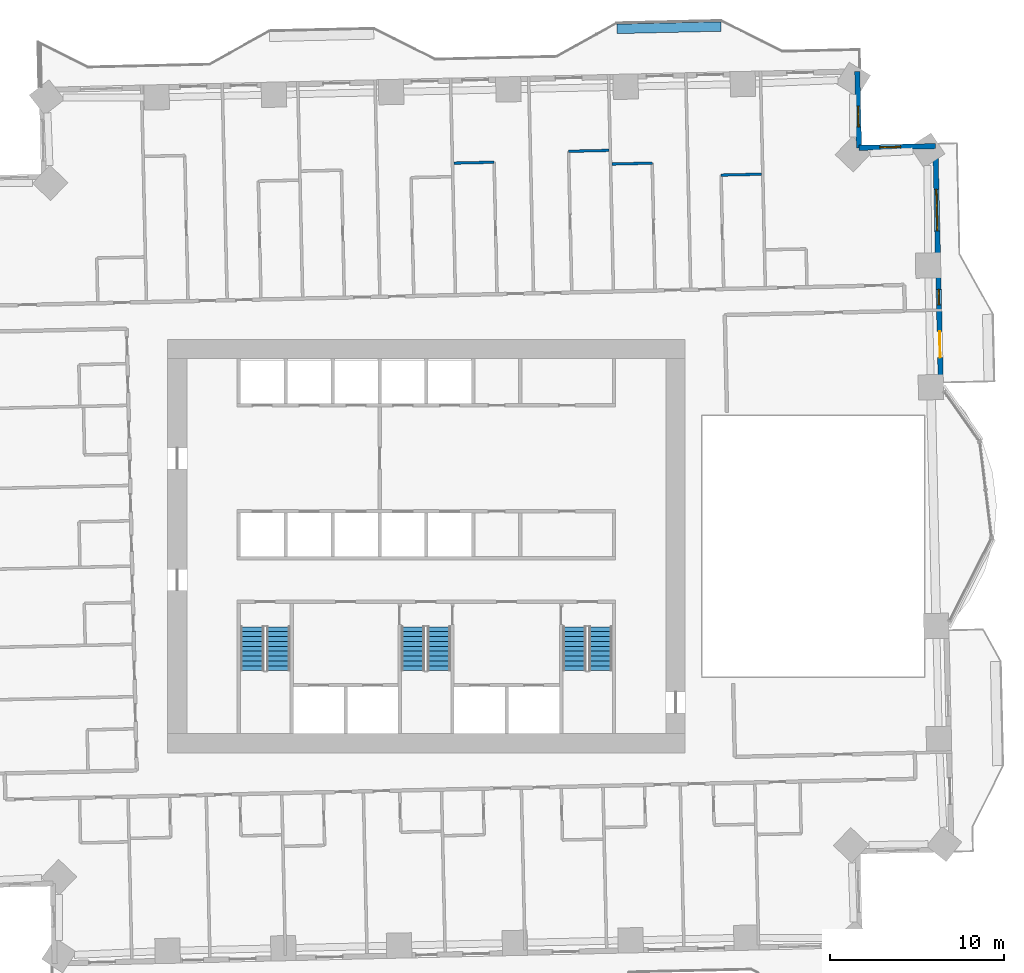
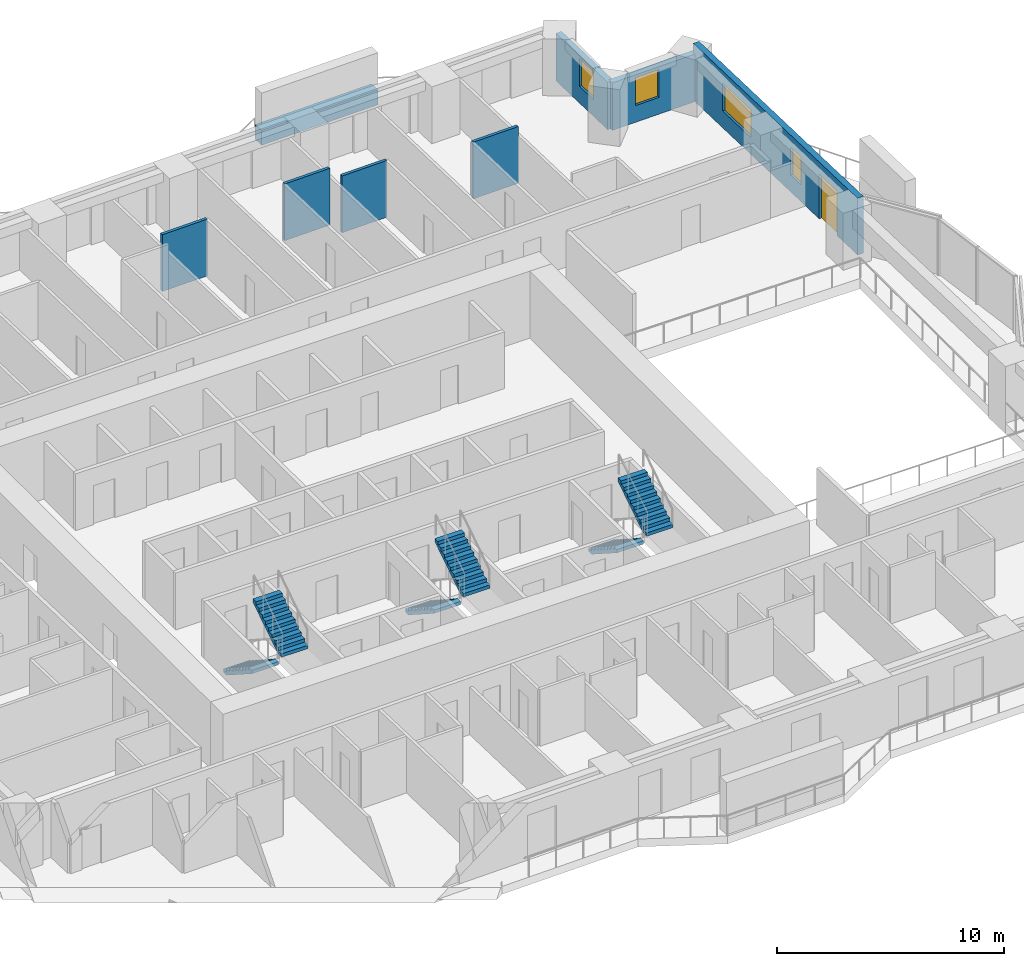
# One storey, part 13 of 17: 8 walls, 6 stair flights, 4 windows, 1 door, 5 openings, 3 elements without a shape of their own.
"""IFC4 building model written with IfcOpenShell, lengths in metres."""

from ifc_helpers import new_model, si_unit, direction, frame, frame_2d, origin, place, context, subcontext, project, spatial, polyline, rectangle, outline, extrude, material, layer, layer_set, type_object, element, fill, aggregate, save


model = new_model("IFC4")

# Units and contexts
model_context = context("Model", 3, precision=1e-05, world=origin(), true_north=direction((0.0, 1.0)))
body_context = subcontext(model_context, "Body", "Model", "MODEL_VIEW")
ifc_project = project(units=[si_unit("LENGTHUNIT", "METRE"), si_unit("AREAUNIT", "SQUARE_METRE"), si_unit("VOLUMEUNIT", "CUBIC_METRE"), si_unit("PLANEANGLEUNIT", "RADIAN"), si_unit("MASSUNIT", "GRAM", prefix="KILO")], contexts=[model_context])

# Site, building, storey
site_placement = place(None, origin())
site = spatial("IfcSite", under=ifc_project, at=site_placement, CompositionType="ELEMENT")
building_placement = place(site_placement, origin())
building = spatial("IfcBuilding", under=site, at=building_placement, Name="Mangrove Gate Tower", CompositionType="ELEMENT")
storey_placement = place(building_placement, frame((0.0, 0.0, 79.300048828125)))
storey = spatial("IfcBuildingStorey", under=building, at=storey_placement, Name="L19", CompositionType="ELEMENT", Elevation=79.300048828125)

# Wall, openings, door, windows
ifc_material_1 = material(Name="Limestone", Category="masonry")
ifc_layer_1 = layer(ifc_material_1, 0.0400390625, Name="Limestone cladding")
ifc_material_2 = material(Name="Ventilated air gap")
ifc_layer_2 = layer(ifc_material_2, 0.0400390625, Name="Ventilated cavity")
ifc_material_3 = material(Name="Mineral wool insulation")
ifc_layer_3 = layer(ifc_material_3, 0.06005859375, Name="Insulation")
ifc_material_4 = material(Name="Breather membrane")
ifc_layer_4 = layer(ifc_material_4, 0.001953125, Name="Breather membrane")
ifc_material_5 = material(Name="Concrete C20/25 blockwork", Category="masonry")
ifc_layer_5 = layer(ifc_material_5, 0.14990234375, Name="Blockwork backing wall")
ifc_material_6 = material(Name="Gypsum plaster")
ifc_layer_6 = layer(ifc_material_6, 0.008056640625, Name="Internal plaster")
ifc_layer_set_1 = layer_set([ifc_layer_1, ifc_layer_2, ifc_layer_3, ifc_layer_4, ifc_layer_5, ifc_layer_6], Name="External wall 300 limestone cladding")
wall_type_1 = type_object("IfcWallType", Name="External wall 300 limestone cladding", PredefinedType="SOLIDWALL", material=ifc_layer_set_1)
wall_1_placement = place(storey_placement, frame((29.6240234375, 9.10791015625, 0.0), z_axis=(0.0, 0.0, 1.0), x_axis=(-0.022679601751, 0.999742784752, 0.0)))
wall_1 = element("IfcWall", 1, at=wall_1_placement, inside=storey, type_object=wall_type_1, Name="WALL-L19-E2", PredefinedType="SOLIDWALL", context=body_context, shape_type="SweptSolid", body=[
    extrude(rectangle(XDim=13.9296875, YDim=0.300048828125, at=frame_2d((6.96484375, 0.0))), origin(), (0.0, 0.0, 1.0), 3.050048828125),
])
opening_1_placement = place(wall_1_placement, frame((1.75390625, 0.0, 0.0)))
opening_1 = element("IfcOpeningElement", 2, at=opening_1_placement, cuts=wall_1, Name="Opening BD1", PredefinedType="OPENING", context=body_context, shape_type="SweptSolid", body=[
    extrude(rectangle(XDim=1.5, YDim=2.39990234375, at=frame_2d((0.75, 1.199951171875))), frame((0.0, 0.159912109375, 0.0), z_axis=(0.0, -1.0, 0.0), x_axis=(1.0, 0.0, 0.0)), (0.0, 0.0, 1.0), 0.320068359375),
])
opening_2_placement = place(wall_1_placement, frame((4.780029296875, 0.0, 0.89990234375)))
opening_2 = element("IfcOpeningElement", 3, at=opening_2_placement, cuts=wall_1, Name="Opening W5", PredefinedType="OPENING", context=body_context, shape_type="SweptSolid", body=[
    extrude(rectangle(XDim=0.89990234375, YDim=1.5, at=frame_2d((0.449951171875, 0.75))), frame((0.0, 0.159912109375, 0.0), z_axis=(0.0, -1.0, 0.0), x_axis=(1.0, 0.0, 0.0)), (0.0, 0.0, 1.0), 0.320068359375),
])
opening_3_placement = place(wall_1_placement, frame((9.04296875, 0.0, 0.89990234375)))
opening_3 = element("IfcOpeningElement", 4, at=opening_3_placement, cuts=wall_1, Name="Opening W2", PredefinedType="OPENING", context=body_context, shape_type="SweptSolid", body=[
    extrude(rectangle(XDim=2.39990234375, YDim=1.5, at=frame_2d((1.199951171875, 0.75))), frame((0.0, 0.159912109375, 0.0), z_axis=(0.0, -1.0, 0.0), x_axis=(1.0, 0.0, 0.0)), (0.0, 0.0, 1.0), 0.320068359375),
])
ifc_material_7 = material(Name="Aluminium frame with laminated clear glass", Category="aluminium")
door_type = type_object("IfcDoorType", Name="Balcony sliding door 1500x2400", OperationType="SLIDING_TO_LEFT", PredefinedType="DOOR", material=ifc_material_7)
door_placement = place(opening_1_placement, origin())
door = element("IfcDoor", 5, at=door_placement, inside=storey, type_object=door_type, Name="DOOR-L19-E2-1", OperationType="SLIDING_TO_LEFT", OverallHeight=2.39990234375, OverallWidth=1.5, PredefinedType="DOOR", context=body_context, shape_type="SweptSolid", body=[
    extrude(rectangle(XDim=1.5, YDim=2.39990234375, at=frame_2d((0.75, 1.199951171875))), frame((0.0, 0.02490234375, 0.0), z_axis=(0.0, -1.0, 0.0), x_axis=(1.0, 0.0, 0.0)), (0.0, 0.0, 1.0), 0.050048828125),
])
fill(opening_1, door)
ifc_material_8 = material(Name="Aluminium frame with double-glazed low-e glass", Category="aluminium")
window_type_1 = type_object("IfcWindowType", Name="Corner room window 2400x1500", PartitioningType="DOUBLE_PANEL_VERTICAL", PredefinedType="WINDOW", material=ifc_material_8)
window_1_placement = place(opening_3_placement, origin())
window_1 = element("IfcWindow", 6, at=window_1_placement, inside=storey, type_object=window_type_1, Name="WIN-L19-E2-3", OverallHeight=1.5, OverallWidth=2.39990234375, PartitioningType="DOUBLE_PANEL_VERTICAL", PredefinedType="WINDOW", context=body_context, shape_type="SweptSolid", body=[
    extrude(rectangle(XDim=2.39990234375, YDim=1.5, at=frame_2d((1.199951171875, 0.75))), frame((0.0, 0.030029296875, 0.0), z_axis=(0.0, -1.0, 0.0), x_axis=(1.0, 0.0, 0.0)), (0.0, 0.0, 1.0), 0.06005859375),
])
fill(opening_3, window_1)
ifc_material_9 = material(Name="Aluminium frame with double-glazed low-e glass", Category="aluminium")
window_type_2 = type_object("IfcWindowType", Name="Narrow window 900x1500", PartitioningType="SINGLE_PANEL", PredefinedType="WINDOW", material=ifc_material_9)
window_2_placement = place(opening_2_placement, origin())
window_2 = element("IfcWindow", 7, at=window_2_placement, inside=storey, type_object=window_type_2, Name="WIN-L19-E2-2", OverallHeight=1.5, OverallWidth=0.89990234375, PartitioningType="SINGLE_PANEL", PredefinedType="WINDOW", context=body_context, shape_type="SweptSolid", body=[
    extrude(rectangle(XDim=0.89990234375, YDim=1.5, at=frame_2d((0.449951171875, 0.75))), frame((0.0, 0.030029296875, 0.0), z_axis=(0.0, -1.0, 0.0), x_axis=(1.0, 0.0, 0.0)), (0.0, 0.0, 1.0), 0.06005859375),
])
fill(opening_2, window_2)

# Wall, opening, window
wall_2_placement = place(storey_placement, frame((29.30810546875, 23.033935546875, 0.0), z_axis=(0.0, 0.0, 1.0), x_axis=(-0.999742493928, -0.022692418004, 0.0)))
wall_2 = element("IfcWall", 8, at=wall_2_placement, inside=storey, type_object=wall_type_1, Name="WALL-L19-N3", PredefinedType="SOLIDWALL", context=body_context, shape_type="SweptSolid", body=[
    extrude(rectangle(XDim=4.400390625, YDim=0.300048828125, at=frame_2d((2.2001953125, 0.0))), origin(), (0.0, 0.0, 1.0), 2.550048828125),
])
opening_4_placement = place(wall_2_placement, frame((2.0, 0.0, 0.89990234375)))
opening_4 = element("IfcOpeningElement", 9, at=opening_4_placement, cuts=wall_2, Name="Opening W1", PredefinedType="OPENING", context=body_context, shape_type="SweptSolid", body=[
    extrude(rectangle(XDim=1.199951171875, YDim=1.5, at=frame_2d((0.60009765625, 0.75))), frame((0.0, 0.159912109375, 0.0), z_axis=(0.0, -1.0, 0.0), x_axis=(1.0, 0.0, 0.0)), (0.0, 0.0, 1.0), 0.320068359375),
])
ifc_material_10 = material(Name="Aluminium frame with double-glazed low-e glass", Category="aluminium")
window_type_3 = type_object("IfcWindowType", Name="Side lite 1200x1500", PartitioningType="SINGLE_PANEL", PredefinedType="WINDOW", material=ifc_material_10)
window_3_placement = place(opening_4_placement, origin())
window_3 = element("IfcWindow", 10, at=window_3_placement, inside=storey, type_object=window_type_3, Name="WIN-L19-N3-1", OverallHeight=1.5, OverallWidth=1.199951171875, PartitioningType="SINGLE_PANEL", PredefinedType="WINDOW", context=body_context, shape_type="SweptSolid", body=[
    extrude(rectangle(XDim=1.199951171875, YDim=1.5, at=frame_2d((0.60009765625, 0.75))), frame((0.0, 0.030029296875, 0.0), z_axis=(0.0, -1.0, 0.0), x_axis=(1.0, 0.0, 0.0)), (0.0, 0.0, 1.0), 0.06005859375),
])
fill(opening_4, window_3)

wall_3_placement = place(storey_placement, frame((24.908935546875, 22.93408203125, 0.0), z_axis=(0.0, 0.0, 1.0), x_axis=(-0.022693676786, 0.999742465355, 0.0)))
wall_3 = element("IfcWall", 11, at=wall_3_placement, inside=storey, type_object=wall_type_1, Name="WALL-L19-E4", PredefinedType="SOLIDWALL", context=body_context, shape_type="SweptSolid", body=[
    extrude(rectangle(XDim=4.400146484375, YDim=0.300048828125, at=frame_2d((2.2001953125, 0.0))), origin(), (0.0, 0.0, 1.0), 2.550048828125),
])
opening_5_placement = place(wall_3_placement, frame((1.200927734375, 0.0, 0.89990234375)))
opening_5 = element("IfcOpeningElement", 12, at=opening_5_placement, cuts=wall_3, Name="Opening W1", PredefinedType="OPENING", context=body_context, shape_type="SweptSolid", body=[
    extrude(rectangle(XDim=1.199951171875, YDim=1.5, at=frame_2d((0.60009765625, 0.75))), frame((0.0, 0.159912109375, 0.0), z_axis=(0.0, -1.0, 0.0), x_axis=(1.0, 0.0, 0.0)), (0.0, 0.0, 1.0), 0.320068359375),
])
window_4_placement = place(opening_5_placement, origin())
window_4 = element("IfcWindow", 13, at=window_4_placement, inside=storey, type_object=window_type_3, Name="WIN-L19-E4-1", OverallHeight=1.5, OverallWidth=1.199951171875, PartitioningType="SINGLE_PANEL", PredefinedType="WINDOW", context=body_context, shape_type="SweptSolid", body=[
    extrude(rectangle(XDim=1.199951171875, YDim=1.5, at=frame_2d((0.60009765625, 0.75))), frame((0.0, 0.030029296875, 0.0), z_axis=(0.0, -1.0, 0.0), x_axis=(1.0, 0.0, 0.0)), (0.0, 0.0, 1.0), 0.06005859375),
])
fill(opening_5, window_4)

# Walls
ifc_material_11 = material(Name="Gypsum board on steel stud, EI 60", Category="steel")
ifc_layer_7 = layer(ifc_material_11, 0.14990234375)
ifc_layer_set_2 = layer_set([ifc_layer_7], Name="Party wall 150 EI 60")
wall_type_2 = type_object("IfcWallType", Name="Party wall 150 EI 60", PredefinedType="PARTITIONING", material=ifc_layer_set_2)
for number, where, z_axis, x_axis, name in (
    (14, (16.970947265625, 21.364013671875, 0.0), (0.0, 0.0, 1.0), (0.999740260747, 0.02279059109, 0.0), "WALL-L19-083"),
    (15, (10.679931640625, 22.0009765625, 0.0), (0.0, 0.0, 1.0), (0.999740260747, 0.02279059109, 0.0), "WALL-L19-087"),
    (16, (1.575927734375, 22.054931640625, 0.0), (0.0, 0.0, 1.0), (0.999749744571, 0.022370700241, 0.0), "WALL-L19-088"),
):
    element("IfcWall", number, at=place(storey_placement, frame(where, z_axis=z_axis, x_axis=x_axis)), inside=storey, type_object=wall_type_2, Name=name, PredefinedType="PARTITIONING", context=body_context, shape_type="SweptSolid", body=[
        extrude(rectangle(XDim=2.324462890625, YDim=0.14990234375, at=frame_2d((1.162109375, 0.0))), origin(), (0.0, 0.0, 1.0), 3.050048828125),
    ])
wall_4_placement = place(storey_placement, frame((8.18701171875, 22.735107421875, 0.0), z_axis=(0.0, 0.0, 1.0), x_axis=(0.999740478815, 0.022781023197, 0.0)))
element("IfcWall", 17, at=wall_4_placement, inside=storey, type_object=wall_type_2, Name="WALL-L19-089", PredefinedType="PARTITIONING", context=body_context, shape_type="SweptSolid", body=[
    extrude(rectangle(XDim=2.325439453125, YDim=0.14990234375, at=frame_2d((1.16259765625, 0.0))), origin(), (0.0, 0.0, 1.0), 3.050048828125),
])
ifc_material_12 = material(Name="Concrete C32/40", Category="concrete")
ifc_layer_8 = layer(ifc_material_12, 0.199951171875, Name="Planter trough wall")
ifc_material_13 = material(Name="Bituminous waterproofing membrane")
ifc_layer_9 = layer(ifc_material_13, 0.0048828125, Name="Waterproofing")
ifc_material_14 = material(Name="Drainage board and gravel")
ifc_layer_10 = layer(ifc_material_14, 0.044921875, Name="Drainage layer")
ifc_material_15 = material(Name="Planting soil")
ifc_layer_11 = layer(ifc_material_15, 0.300048828125, Name="Growing medium")
ifc_layer_set_3 = layer_set([ifc_layer_8, ifc_layer_9, ifc_layer_10, ifc_layer_11], Name="Planter wall 550 C32/40")
wall_type_3 = type_object("IfcWallType", Name="Planter wall 550 C32/40", PredefinedType="USERDEFINED", material=ifc_layer_set_3)
wall_5_placement = place(storey_placement, frame((10.964111328125, 29.784912109375, 0.0), z_axis=(0.0, 0.0, 1.0), x_axis=(0.999743073592, 0.022666865795, 0.0)))
element("IfcWall", 18, at=wall_5_placement, inside=storey, type_object=wall_type_3, Name="PLANTER L19 N0.1", ObjectType="PLANTER", PredefinedType="USERDEFINED", context=body_context, shape_type="SweptSolid", body=[
    extrude(rectangle(XDim=5.999267578125, YDim=0.550048828125, at=frame_2d((2.99951171875, 0.0))), origin(), (0.0, 0.0, 1.0), 0.800048828125),
])

# Stair, stair flights
ifc_material_16 = material(Name="Concrete C40/50", Category="concrete")
stair_type = type_object("IfcStairType", Name="Core stair 1350", PredefinedType="HALF_TURN_STAIR", material=ifc_material_16)
stair_1_placement = place(storey_placement, origin())
stair_1 = element("IfcStair", 19, at=stair_1_placement, inside=storey, type_object=stair_type, Name="L19 Stair 1", PredefinedType="HALF_TURN_STAIR")
ifc_material_17 = material(Name="Concrete C40/50", Category="concrete")
stair_flight_type = type_object("IfcStairFlightType", Name="Core stair flight 1350", PredefinedType="STRAIGHT", material=ifc_material_17)
stair_flight_1_placement = place(storey_placement, frame((-10.02490234375, -4.64990234375, 0.0), z_axis=(0.0, 0.0, 1.0), x_axis=(0.0, -1.0, 0.0)))
stair_flight_1 = element("IfcStairFlight", 20, at=stair_flight_1_placement, type_object=stair_flight_type, Name="ST1 flight 1", NumberOfRisers=10, NumberOfTreads=9, PredefinedType="STRAIGHT", RiserHeight=0.18, TreadLength=0.28, context=body_context, shape_type="SweptSolid", body=[
    extrude(outline(polyline([(0.0, 0.0), (0.0, 0.179931640625), (0.280029296875, 0.179931640625), (0.280029296875, 0.360107421875), (0.56005859375, 0.360107421875), (0.56005859375, 0.5400390625), (0.840087890625, 0.5400390625), (0.840087890625, 0.719970703125), (1.1201171875, 0.719970703125), (1.1201171875, 0.89990234375), (1.39990234375, 0.89990234375), (1.39990234375, 1.080078125), (1.679931640625, 1.080078125), (1.679931640625, 1.260009765625), (1.9599609375, 1.260009765625), (1.9599609375, 1.43994140625), (2.239990234375, 1.43994140625), (2.239990234375, 1.6201171875), (2.52001953125, 1.6201171875), (2.52001953125, 1.800048828125), (2.52001953125, 1.44189453125), (0.277099609375, 0.0), (0.0, 0.0)])), frame((0.0, 0.675048828125, 0.0), z_axis=(0.0, -1.0, 0.0), x_axis=(1.0, 0.0, 0.0)), (0.0, 0.0, 1.0), 1.35009765625),
])
stair_flight_2_placement = place(storey_placement, frame((-8.52490234375, -7.169921875, 1.800048828125), z_axis=(0.0, 0.0, 1.0), x_axis=(0.0, 1.0, 0.0)))
stair_flight_2 = element("IfcStairFlight", 21, at=stair_flight_2_placement, type_object=stair_flight_type, Name="ST1 flight 2", NumberOfRisers=10, NumberOfTreads=9, PredefinedType="STRAIGHT", RiserHeight=0.18, TreadLength=0.28, context=body_context, shape_type="SweptSolid", body=[
    extrude(outline(polyline([(0.0, 0.0), (0.0, 0.179931640625), (0.280029296875, 0.179931640625), (0.280029296875, 0.360107421875), (0.56005859375, 0.360107421875), (0.56005859375, 0.5400390625), (0.840087890625, 0.5400390625), (0.840087890625, 0.719970703125), (1.1201171875, 0.719970703125), (1.1201171875, 0.89990234375), (1.39990234375, 0.89990234375), (1.39990234375, 1.080078125), (1.679931640625, 1.080078125), (1.679931640625, 1.260009765625), (1.9599609375, 1.260009765625), (1.9599609375, 1.43994140625), (2.239990234375, 1.43994140625), (2.239990234375, 1.6201171875), (2.52001953125, 1.6201171875), (2.52001953125, 1.800048828125), (2.52001953125, 1.44189453125), (0.277099609375, 0.0), (0.0, 0.0)])), frame((0.0, 0.675048828125, 0.0), z_axis=(0.0, -1.0, 0.0), x_axis=(1.0, 0.0, 0.0)), (0.0, 0.0, 1.0), 1.35009765625),
])
aggregate(stair_1, [stair_flight_1, stair_flight_2])

stair_2_placement = place(storey_placement, origin())
stair_2 = element("IfcStair", 22, at=stair_2_placement, inside=storey, type_object=stair_type, Name="L19 Stair 2", PredefinedType="HALF_TURN_STAIR")
stair_flight_3_placement = place(storey_placement, frame((-0.77490234375, -4.64990234375, 0.0), z_axis=(0.0, 0.0, 1.0), x_axis=(0.0, -1.0, 0.0)))
stair_flight_3 = element("IfcStairFlight", 23, at=stair_flight_3_placement, type_object=stair_flight_type, Name="ST2 flight 1", NumberOfRisers=10, NumberOfTreads=9, PredefinedType="STRAIGHT", RiserHeight=0.18, TreadLength=0.28, context=body_context, shape_type="SweptSolid", body=[
    extrude(outline(polyline([(0.0, 0.0), (0.0, 0.179931640625), (0.280029296875, 0.179931640625), (0.280029296875, 0.360107421875), (0.56005859375, 0.360107421875), (0.56005859375, 0.5400390625), (0.840087890625, 0.5400390625), (0.840087890625, 0.719970703125), (1.1201171875, 0.719970703125), (1.1201171875, 0.89990234375), (1.39990234375, 0.89990234375), (1.39990234375, 1.080078125), (1.679931640625, 1.080078125), (1.679931640625, 1.260009765625), (1.9599609375, 1.260009765625), (1.9599609375, 1.43994140625), (2.239990234375, 1.43994140625), (2.239990234375, 1.6201171875), (2.52001953125, 1.6201171875), (2.52001953125, 1.800048828125), (2.52001953125, 1.44189453125), (0.277099609375, 0.0), (0.0, 0.0)])), frame((0.0, 0.675048828125, 0.0), z_axis=(0.0, -1.0, 0.0), x_axis=(1.0, 0.0, 0.0)), (0.0, 0.0, 1.0), 1.35009765625),
])
stair_flight_4_placement = place(storey_placement, frame((0.72509765625, -7.169921875, 1.800048828125), z_axis=(0.0, 0.0, 1.0), x_axis=(0.0, 1.0, 0.0)))
stair_flight_4 = element("IfcStairFlight", 24, at=stair_flight_4_placement, type_object=stair_flight_type, Name="ST2 flight 2", NumberOfRisers=10, NumberOfTreads=9, PredefinedType="STRAIGHT", RiserHeight=0.18, TreadLength=0.28, context=body_context, shape_type="SweptSolid", body=[
    extrude(outline(polyline([(0.0, 0.0), (0.0, 0.179931640625), (0.280029296875, 0.179931640625), (0.280029296875, 0.360107421875), (0.56005859375, 0.360107421875), (0.56005859375, 0.5400390625), (0.840087890625, 0.5400390625), (0.840087890625, 0.719970703125), (1.1201171875, 0.719970703125), (1.1201171875, 0.89990234375), (1.39990234375, 0.89990234375), (1.39990234375, 1.080078125), (1.679931640625, 1.080078125), (1.679931640625, 1.260009765625), (1.9599609375, 1.260009765625), (1.9599609375, 1.43994140625), (2.239990234375, 1.43994140625), (2.239990234375, 1.6201171875), (2.52001953125, 1.6201171875), (2.52001953125, 1.800048828125), (2.52001953125, 1.44189453125), (0.277099609375, 0.0), (0.0, 0.0)])), frame((0.0, 0.675048828125, 0.0), z_axis=(0.0, -1.0, 0.0), x_axis=(1.0, 0.0, 0.0)), (0.0, 0.0, 1.0), 1.35009765625),
])
aggregate(stair_2, [stair_flight_3, stair_flight_4])

stair_3_placement = place(storey_placement, origin())
stair_3 = element("IfcStair", 25, at=stair_3_placement, inside=storey, type_object=stair_type, Name="L19 Stair 3", PredefinedType="HALF_TURN_STAIR")
stair_flight_5_placement = place(storey_placement, frame((8.52490234375, -4.64990234375, 0.0), z_axis=(0.0, 0.0, 1.0), x_axis=(0.0, -1.0, 0.0)))
stair_flight_5 = element("IfcStairFlight", 26, at=stair_flight_5_placement, type_object=stair_flight_type, Name="ST3 flight 1", NumberOfRisers=10, NumberOfTreads=9, PredefinedType="STRAIGHT", RiserHeight=0.18, TreadLength=0.28, context=body_context, shape_type="SweptSolid", body=[
    extrude(outline(polyline([(0.0, 0.0), (0.0, 0.179931640625), (0.280029296875, 0.179931640625), (0.280029296875, 0.360107421875), (0.56005859375, 0.360107421875), (0.56005859375, 0.5400390625), (0.840087890625, 0.5400390625), (0.840087890625, 0.719970703125), (1.1201171875, 0.719970703125), (1.1201171875, 0.89990234375), (1.39990234375, 0.89990234375), (1.39990234375, 1.080078125), (1.679931640625, 1.080078125), (1.679931640625, 1.260009765625), (1.9599609375, 1.260009765625), (1.9599609375, 1.43994140625), (2.239990234375, 1.43994140625), (2.239990234375, 1.6201171875), (2.52001953125, 1.6201171875), (2.52001953125, 1.800048828125), (2.52001953125, 1.44189453125), (0.277099609375, 0.0), (0.0, 0.0)])), frame((0.0, 0.675048828125, 0.0), z_axis=(0.0, -1.0, 0.0), x_axis=(1.0, 0.0, 0.0)), (0.0, 0.0, 1.0), 1.35009765625),
])
stair_flight_6_placement = place(storey_placement, frame((10.02490234375, -7.169921875, 1.800048828125), z_axis=(0.0, 0.0, 1.0), x_axis=(0.0, 1.0, 0.0)))
stair_flight_6 = element("IfcStairFlight", 27, at=stair_flight_6_placement, type_object=stair_flight_type, Name="ST3 flight 2", NumberOfRisers=10, NumberOfTreads=9, PredefinedType="STRAIGHT", RiserHeight=0.18, TreadLength=0.28, context=body_context, shape_type="SweptSolid", body=[
    extrude(outline(polyline([(0.0, 0.0), (0.0, 0.179931640625), (0.280029296875, 0.179931640625), (0.280029296875, 0.360107421875), (0.56005859375, 0.360107421875), (0.56005859375, 0.5400390625), (0.840087890625, 0.5400390625), (0.840087890625, 0.719970703125), (1.1201171875, 0.719970703125), (1.1201171875, 0.89990234375), (1.39990234375, 0.89990234375), (1.39990234375, 1.080078125), (1.679931640625, 1.080078125), (1.679931640625, 1.260009765625), (1.9599609375, 1.260009765625), (1.9599609375, 1.43994140625), (2.239990234375, 1.43994140625), (2.239990234375, 1.6201171875), (2.52001953125, 1.6201171875), (2.52001953125, 1.800048828125), (2.52001953125, 1.44189453125), (0.277099609375, 0.0), (0.0, 0.0)])), frame((0.0, 0.675048828125, 0.0), z_axis=(0.0, -1.0, 0.0), x_axis=(1.0, 0.0, 0.0)), (0.0, 0.0, 1.0), 1.35009765625),
])
aggregate(stair_3, [stair_flight_5, stair_flight_6])

save(model, "model.ifc")
